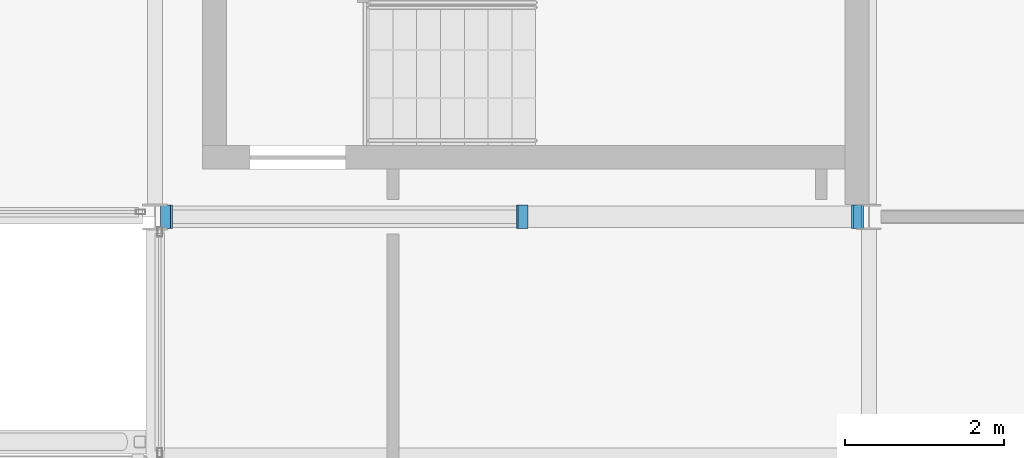
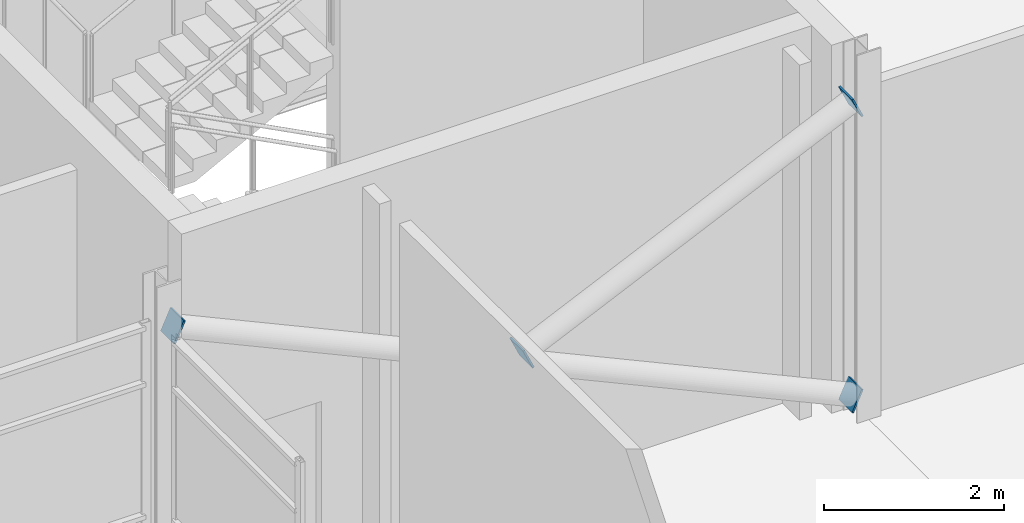
# One storey, part 105 of 115: 4 discrete accessories.
"""IFC4 building model written with IfcOpenShell, lengths in metres."""

from ifc_helpers import new_model, si_unit, direction, frame, origin, place, context, subcontext, project, spatial, polyline, outline, extrude, material, layer, layer_set, type_object, element, save


model = new_model("IFC4")

# Units and contexts
model_context = context("Model", 3, precision=1e-05, world=origin(), true_north=direction((0.0, 1.0)))
body_context = subcontext(model_context, "Body", "Model", "MODEL_VIEW")
ifc_project = project(units=[si_unit("LENGTHUNIT", "METRE"), si_unit("AREAUNIT", "SQUARE_METRE"), si_unit("VOLUMEUNIT", "CUBIC_METRE"), si_unit("PLANEANGLEUNIT", "RADIAN"), si_unit("MASSUNIT", "GRAM", prefix="KILO")], contexts=[model_context])

# Site, building, storey
site_placement = place(None, origin())
site = spatial("IfcSite", under=ifc_project, at=site_placement, CompositionType="ELEMENT")
building_placement = place(site_placement, origin())
building = spatial("IfcBuilding", under=site, at=building_placement, Name="Shorebreak Coast Museum", CompositionType="ELEMENT")
storey_placement = place(building_placement, frame((0.0, 0.0, 11.0)))
storey = spatial("IfcBuildingStorey", under=building, at=storey_placement, Name="L02", CompositionType="ELEMENT", Elevation=11.0)

# Discrete accessories
ifc_material = material(Name="Steel Grade 300", Category="steel")
ifc_layer = layer(ifc_material, 0.02490234375)
ifc_layer_set = layer_set([ifc_layer], Name="Steel Grade 300")
discrete_accessory_type = type_object("IfcDiscreteAccessoryType", Name="End plate 300 x 300 x 25", PredefinedType="BRACKET", material=ifc_layer_set)
discrete_accessory_1_placement = place(storey_placement, frame((112.70361328125, 80.85009765625, 2.215087890625), z_axis=(0.909193123375, 0.0, 0.416374668308), x_axis=(0.0, 1.0, 0.0)))
element("IfcDiscreteAccessory", 1, at=discrete_accessory_1_placement, inside=storey, type_object=discrete_accessory_type, Name="End plate X-brace bay 04 L02 diagonal 1 end 1", PredefinedType="BRACKET", context=body_context, shape_type="SweptSolid", body=[
    extrude(outline(polyline([(0.0, 0.0), (0.2998046875, 0.0), (0.2998046875, 0.30021038625643076), (0.0, 0.30021038625643076), (0.0, 0.0)])), origin(), (0.0, 0.0, -1.0), 0.02490234375),
])
discrete_accessory_2_placement = place(storey_placement, frame((116.931640625, 80.85009765625, 4.14892578125), z_axis=(0.909500839953, 0.0, 0.415702083378), x_axis=(0.0, 1.0, 0.0)))
element("IfcDiscreteAccessory", 2, at=discrete_accessory_2_placement, inside=storey, type_object=discrete_accessory_type, Name="End plate X-brace bay 04 L02 diagonal 1 end 2", PredefinedType="BRACKET", context=body_context, shape_type="SweptSolid", body=[
    extrude(outline(polyline([(0.0, 0.0), (0.2998046875, 0.0), (0.2998046875, 0.30010881437343706), (0.0, 0.30010881437343706), (0.0, 0.0)])), origin(), (0.0, 0.0, -1.0), 0.02490234375),
])
discrete_accessory_3_placement = place(storey_placement, frame((116.7841796875, 81.14990234375, 0.16357421875), z_axis=(-0.909360103086, 0.0, 0.416009859156), x_axis=(0.0, -1.0, 0.0)))
element("IfcDiscreteAccessory", 3, at=discrete_accessory_3_placement, inside=storey, type_object=discrete_accessory_type, Name="End plate X-brace bay 04 L02 diagonal 2 end 1", PredefinedType="BRACKET", context=body_context, shape_type="SweptSolid", body=[
    extrude(outline(polyline([(0.0, 0.0), (0.2998046875, 0.0), (0.2998046875, 0.29988678544336883), (0.0, 0.29988678544336883), (0.0, 0.0)])), origin(), (0.0, 0.0, -1.0), 0.02490234375),
])
discrete_accessory_4_placement = place(storey_placement, frame((108.0703125, 81.14990234375, 4.14892578125), z_axis=(-0.909193123375, 0.0, 0.416374668308), x_axis=(0.0, -1.0, 0.0)))
element("IfcDiscreteAccessory", 4, at=discrete_accessory_4_placement, inside=storey, type_object=discrete_accessory_type, Name="End plate X-brace bay 04 L02 diagonal 2 end 2", PredefinedType="BRACKET", context=body_context, shape_type="SweptSolid", body=[
    extrude(outline(polyline([(0.0, 0.0), (0.2998046875, 0.0), (0.2998046875, 0.30021038625643076), (0.0, 0.30021038625643076), (0.0, 0.0)])), origin(), (0.0, 0.0, -1.0), 0.02490234375),
])

save(model, "model.ifc")
